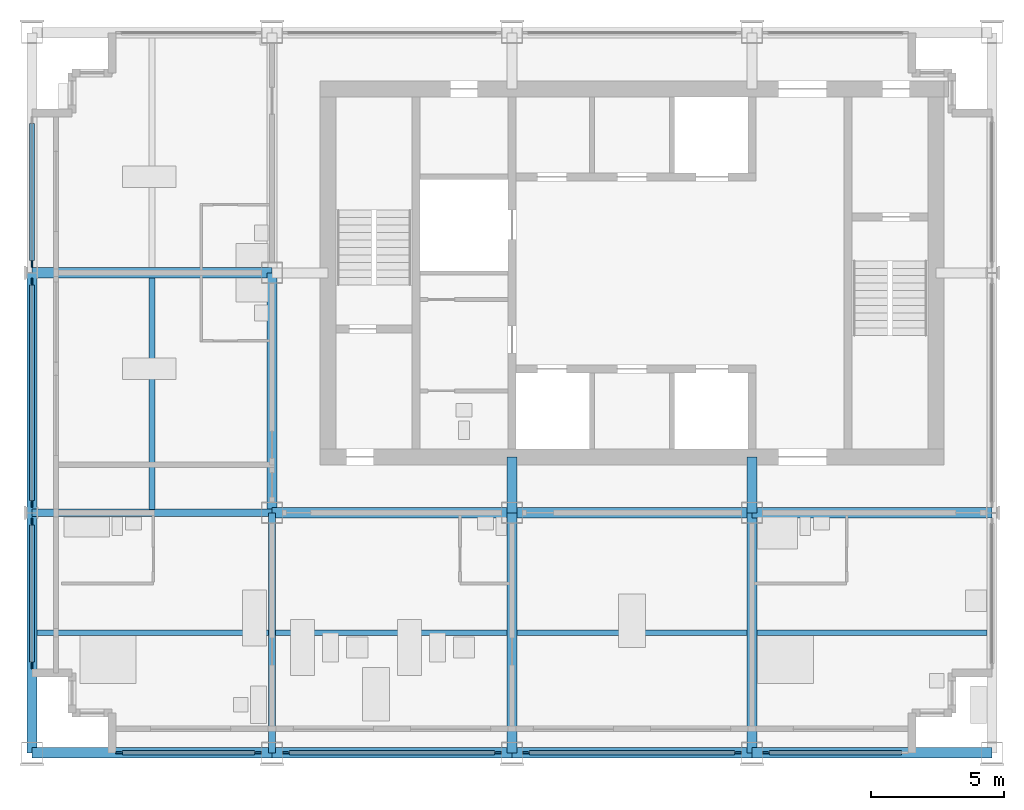
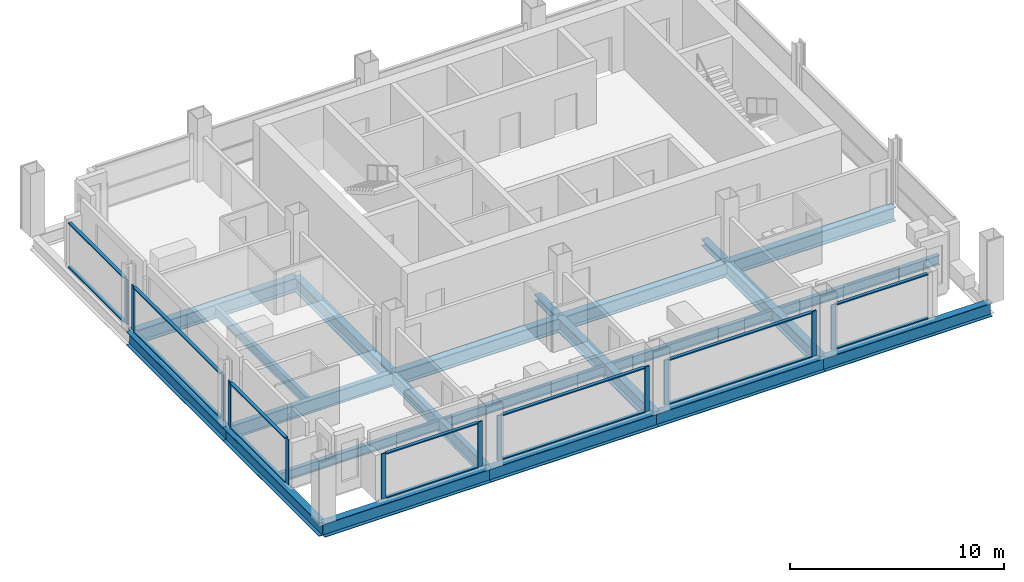
# One storey, part 2 of 11: 28 members, 20 beams, 7 elements without a shape of their own.
"""IFC4 building model written with IfcOpenShell, lengths in metres."""

from ifc_helpers import new_model, si_unit, direction, frame, origin, origin_2d, place, context, subcontext, project, spatial, rectangle, i_section, extrude, material, material_profile, profile_set, type_object, element, aggregate, save


model = new_model("IFC4")

# Units and contexts
model_context = context("Model", 3, precision=1e-05, world=origin(), true_north=direction((0.0, 1.0)))
body_context = subcontext(model_context, "Body", "Model", "MODEL_VIEW")
ifc_project = project(units=[si_unit("LENGTHUNIT", "METRE"), si_unit("AREAUNIT", "SQUARE_METRE"), si_unit("VOLUMEUNIT", "CUBIC_METRE"), si_unit("PLANEANGLEUNIT", "RADIAN"), si_unit("MASSUNIT", "GRAM", prefix="KILO")], contexts=[model_context])

# Site, building, storey
site_placement = place(None, origin())
site = spatial("IfcSite", under=ifc_project, at=site_placement, CompositionType="ELEMENT")
building_placement = place(site_placement, origin())
building = spatial("IfcBuilding", under=site, at=building_placement, Name="Loomwork Tower", CompositionType="ELEMENT")
storey_placement = place(building_placement, frame((0.0, 0.0, 266.199951171875)))
storey = spatial("IfcBuildingStorey", under=building, at=storey_placement, Name="L73", CompositionType="ELEMENT", Elevation=266.199951171875)

# Beams
ifc_material_1 = material(Name="Steel ASTM A992", Category="steel")
ifc_material_profile_1 = material_profile(ifc_material_1, i_section(OverallWidth=0.383544921875, OverallDepth=0.794921875, WebThickness=0.02099609375, FlangeThickness=0.0380859375, at=origin_2d()), Name="W30x235")
ifc_profile_set_1 = profile_set([ifc_material_profile_1], Name="Steel ASTM A992")
beam_type_1 = type_object("IfcBeamType", Name="CORE FLANK GIRDER W30x235", PredefinedType="BEAM", material=ifc_profile_set_1)
for number, where, z_axis, x_axis, name in (
    (1, (9.0, 9.0, -0.597412109375), (1.0, 0.0, 0.0), (0.0, 1.0, 0.0), "Core Flank Girder E/3-E/4 L73"),
    (2, (18.0, 9.0, -0.597412109375), (1.0, 0.0, 0.0), (0.0, 1.0, 0.0), "Core Flank Girder E/4-E/5 L73"),
    (3, (27.0, 9.0, -0.597412109375), (1.0, 0.0, 0.0), (0.0, 1.0, 0.0), "Core Flank Girder E/5-E/6 L73"),
    (4, (0.0, 18.0, -0.597412109375), (1.0, 0.0, 0.0), (0.0, 1.0, 0.0), "Core Flank Girder F/2-F/3 L73"),
    (5, (9.0, 9.0, -0.597412109375), (0.0, 1.0, 0.0), (-1.0, 0.0, 0.0), "Core Flank Girder E/3-F/3 L73"),
    (6, (18.0, 0.0, -0.597412109375), (0.0, 1.0, 0.0), (-1.0, 0.0, 0.0), "Core Flank Girder D/4-E/4 L73"),
    (7, (27.0, 0.0, -0.597412109375), (0.0, 1.0, 0.0), (-1.0, 0.0, 0.0), "Core Flank Girder D/5-E/5 L73"),
):
    element("IfcBeam", number, at=place(storey_placement, frame(where, z_axis=z_axis, x_axis=x_axis)), inside=storey, type_object=beam_type_1, Name=name, PredefinedType="BEAM", context=body_context, shape_type="SweptSolid", body=[
        extrude(i_section(OverallWidth=0.383544921875, OverallDepth=0.794921875, WebThickness=0.02099609375, FlangeThickness=0.0380859375, at=origin_2d()), origin(), (0.0, 0.0, 1.0), 9.0),
    ])

# Members
ifc_material_2 = material(Name="Steel ASTM A992", Category="steel")
ifc_material_profile_2 = material_profile(ifc_material_2, i_section(OverallWidth=0.373291015625, OverallDepth=0.373291015625, WebThickness=0.016357421875, FlangeThickness=0.026123046875, at=origin_2d()), Name="W14x132")
ifc_profile_set_2 = profile_set([ifc_material_profile_2], Name="Steel ASTM A992")
member_type_1 = type_object("IfcMemberType", Name="CORE LINK STRUT W14x132", PredefinedType="STRUT", material=ifc_profile_set_2)
for number, where, z_axis, x_axis, name in (
    (8, (18.0, 9.0, -0.38671875), (0.0, 1.0, 0.0), (-1.0, 0.0, 0.0), "Core link strut E/4-18.000,11.100 L73"),
    (9, (27.0, 9.0, -0.38671875), (0.0, 1.0, 0.0), (-1.0, 0.0, 0.0), "Core link strut E/5-27.000,11.100 L73"),
):
    element("IfcMember", number, at=place(storey_placement, frame(where, z_axis=z_axis, x_axis=x_axis)), inside=storey, type_object=member_type_1, Name=name, PredefinedType="STRUT", context=body_context, shape_type="SweptSolid", body=[
        extrude(i_section(OverallWidth=0.373291015625, OverallDepth=0.373291015625, WebThickness=0.016357421875, FlangeThickness=0.026123046875, at=origin_2d()), origin(), (0.0, 0.0, 1.0), 2.10009765625),
    ])

# Beams
ifc_material_3 = material(Name="Steel ASTM A992", Category="steel")
ifc_material_profile_3 = material_profile(ifc_material_3, i_section(OverallWidth=0.2666015625, OverallDepth=0.761962890625, WebThickness=0.014404296875, FlangeThickness=0.021484375, at=origin_2d()), Name="W30x116")
ifc_profile_set_3 = profile_set([ifc_material_profile_3], Name="Steel ASTM A992")
beam_type_2 = type_object("IfcBeamType", Name="FLOOR GIRDER W30x116", PredefinedType="BEAM", material=ifc_profile_set_3)
for number, where, z_axis, x_axis, name in (
    (10, (0.0, 9.0, -0.5810546875), (1.0, 0.0, 0.0), (0.0, 1.0, 0.0), "Floor Girder E/2-E/3 L73"),
    (11, (9.0, 0.0, -0.5810546875), (0.0, 1.0, 0.0), (-1.0, 0.0, 0.0), "Floor Girder D/3-E/3 L73"),
):
    element("IfcBeam", number, at=place(storey_placement, frame(where, z_axis=z_axis, x_axis=x_axis)), inside=storey, type_object=beam_type_2, Name=name, PredefinedType="BEAM", context=body_context, shape_type="SweptSolid", body=[
        extrude(i_section(OverallWidth=0.2666015625, OverallDepth=0.761962890625, WebThickness=0.014404296875, FlangeThickness=0.021484375, at=origin_2d()), origin(), (0.0, 0.0, 1.0), 9.0),
    ])
ifc_material_4 = material(Name="Steel ASTM A992", Category="steel")
ifc_material_profile_4 = material_profile(ifc_material_4, i_section(OverallWidth=0.2109375, OverallDepth=0.53857421875, WebThickness=0.011474609375, FlangeThickness=0.018798828125, at=origin_2d()), Name="W21x73")
ifc_profile_set_4 = profile_set([ifc_material_profile_4], Name="Steel ASTM A992")
beam_type_3 = type_object("IfcBeamType", Name="FLOOR JOIST W21x73", PredefinedType="JOIST", material=ifc_profile_set_4)
beam_1_placement = place(storey_placement, frame((0.18994140625, 4.5, -0.46923828125), z_axis=(1.0, 0.0, 0.0), x_axis=(0.0, 1.0, 0.0)))
element("IfcBeam", 12, at=beam_1_placement, inside=storey, type_object=beam_type_3, Name="Floor Joist 0.000,4.500-9.000,4.500 L73", PredefinedType="JOIST", context=body_context, shape_type="SweptSolid", body=[
    extrude(i_section(OverallWidth=0.2109375, OverallDepth=0.53857421875, WebThickness=0.011474609375, FlangeThickness=0.018798828125, at=origin_2d()), origin(), (0.0, 0.0, 1.0), 8.677001953125),
])
for number, where, z_axis, x_axis, name in (
    (13, (4.5, 9.133056640625, -0.46923828125), (0.0, 1.0, 0.0), (-1.0, 0.0, 0.0), "Floor Joist 4.500,9.000-4.500,18.000 L73"),
    (14, (9.133056640625, 4.5, -0.46923828125), (1.0, 0.0, 0.0), (0.0, 1.0, 0.0), "Floor Joist 9.000,4.500-18.000,4.500 L73"),
):
    element("IfcBeam", number, at=place(storey_placement, frame(where, z_axis=z_axis, x_axis=x_axis)), inside=storey, type_object=beam_type_3, Name=name, PredefinedType="JOIST", context=body_context, shape_type="SweptSolid", body=[
        extrude(i_section(OverallWidth=0.2109375, OverallDepth=0.53857421875, WebThickness=0.011474609375, FlangeThickness=0.018798828125, at=origin_2d()), origin(), (0.0, 0.0, 1.0), 8.676025390625),
    ])
beam_2_placement = place(storey_placement, frame((18.19091796875, 4.5, -0.46923828125), z_axis=(1.0, 0.0, 0.0), x_axis=(0.0, 1.0, 0.0)))
element("IfcBeam", 15, at=beam_2_placement, inside=storey, type_object=beam_type_3, Name="Floor Joist 18.000,4.500-27.000,4.500 L73", PredefinedType="JOIST", context=body_context, shape_type="SweptSolid", body=[
    extrude(i_section(OverallWidth=0.2109375, OverallDepth=0.53857421875, WebThickness=0.011474609375, FlangeThickness=0.018798828125, at=origin_2d()), origin(), (0.0, 0.0, 1.0), 8.6181640625),
])
beam_3_placement = place(storey_placement, frame((27.19091796875, 4.5, -0.46923828125), z_axis=(1.0, 0.0, 0.0), x_axis=(0.0, 1.0, 0.0)))
element("IfcBeam", 16, at=beam_3_placement, inside=storey, type_object=beam_type_3, Name="Floor Joist 27.000,4.500-36.000,4.500 L73", PredefinedType="JOIST", context=body_context, shape_type="SweptSolid", body=[
    extrude(i_section(OverallWidth=0.2109375, OverallDepth=0.53857421875, WebThickness=0.011474609375, FlangeThickness=0.018798828125, at=origin_2d()), origin(), (0.0, 0.0, 1.0), 8.619140625),
])

# Curtain wall, members
ifc_material_5 = material(Name="Aluminium curtain wall frame", Category="aluminium")
curtain_wall_type = type_object("IfcCurtainWallType", Name="Outer skin glazing suites", PredefinedType="NOTDEFINED", material=ifc_material_5)
curtain_wall_1_placement = place(storey_placement, origin())
curtain_wall_1 = element("IfcCurtainWall", 17, at=curtain_wall_1_placement, inside=storey, type_object=curtain_wall_type, Name="Outer skin glazing suites cw/S-0", PredefinedType="NOTDEFINED")
ifc_material_6 = material(Name="Aluminium curtain wall frame", Category="aluminium")
ifc_material_profile_5 = material_profile(ifc_material_6, rectangle(XDim=0.06494140625, YDim=0.25, at=origin_2d()), Name="AL 65x250")
ifc_profile_set_5 = profile_set([ifc_material_profile_5], Name="Aluminium curtain wall frame")
member_type_2 = type_object("IfcMemberType", Name="Outer skin glazing suites mullion", PredefinedType="MULLION", material=ifc_profile_set_5)
member_1_placement = place(storey_placement, frame((3.27490234375, 0.0, 0.0), z_axis=(0.0, 0.0, 1.0), x_axis=(0.0, 1.0, 0.0)))
member_1 = element("IfcMember", 18, at=member_1_placement, type_object=member_type_2, Name="CW2 mullion 1", PredefinedType="MULLION", context=body_context, shape_type="SweptSolid", body=[
    extrude(rectangle(XDim=0.06494140625, YDim=0.25, at=origin_2d()), origin(), (0.0, 0.0, 1.0), 2.5703125),
])
member_2_placement = place(storey_placement, frame((8.47509765625, 0.0, 0.0), z_axis=(0.0, 0.0, 1.0), x_axis=(0.0, 1.0, 0.0)))
member_2 = element("IfcMember", 19, at=member_2_placement, type_object=member_type_2, Name="CW2 mullion 2", PredefinedType="MULLION", context=body_context, shape_type="SweptSolid", body=[
    extrude(rectangle(XDim=0.06494140625, YDim=0.25, at=origin_2d()), origin(), (0.0, 0.0, 1.0), 2.5703125),
])

curtain_wall_2_placement = place(storey_placement, origin())
curtain_wall_2 = element("IfcCurtainWall", 20, at=curtain_wall_2_placement, inside=storey, type_object=curtain_wall_type, Name="Outer skin glazing suites cw/S-9", PredefinedType="NOTDEFINED")
member_3_placement = place(storey_placement, frame((9.52490234375, 0.0, 0.0), z_axis=(0.0, 0.0, 1.0), x_axis=(0.0, 1.0, 0.0)))
member_3 = element("IfcMember", 21, at=member_3_placement, type_object=member_type_2, Name="CW2 mullion 1", PredefinedType="MULLION", context=body_context, shape_type="SweptSolid", body=[
    extrude(rectangle(XDim=0.06494140625, YDim=0.25, at=origin_2d()), origin(), (0.0, 0.0, 1.0), 2.5703125),
])
member_4_placement = place(storey_placement, frame((17.47509765625, 0.0, 0.0), z_axis=(0.0, 0.0, 1.0), x_axis=(0.0, 1.0, 0.0)))
member_4 = element("IfcMember", 22, at=member_4_placement, type_object=member_type_2, Name="CW2 mullion 2", PredefinedType="MULLION", context=body_context, shape_type="SweptSolid", body=[
    extrude(rectangle(XDim=0.06494140625, YDim=0.25, at=origin_2d()), origin(), (0.0, 0.0, 1.0), 2.5703125),
])

curtain_wall_3_placement = place(storey_placement, origin())
curtain_wall_3 = element("IfcCurtainWall", 23, at=curtain_wall_3_placement, inside=storey, type_object=curtain_wall_type, Name="Outer skin glazing suites cw/S-18", PredefinedType="NOTDEFINED")
member_5_placement = place(storey_placement, frame((18.52490234375, 0.0, 0.0), z_axis=(0.0, 0.0, 1.0), x_axis=(0.0, 1.0, 0.0)))
member_5 = element("IfcMember", 24, at=member_5_placement, type_object=member_type_2, Name="CW2 mullion 1", PredefinedType="MULLION", context=body_context, shape_type="SweptSolid", body=[
    extrude(rectangle(XDim=0.06494140625, YDim=0.25, at=origin_2d()), origin(), (0.0, 0.0, 1.0), 2.5703125),
])
member_6_placement = place(storey_placement, frame((26.47509765625, 0.0, 0.0), z_axis=(0.0, 0.0, 1.0), x_axis=(0.0, 1.0, 0.0)))
member_6 = element("IfcMember", 25, at=member_6_placement, type_object=member_type_2, Name="CW2 mullion 2", PredefinedType="MULLION", context=body_context, shape_type="SweptSolid", body=[
    extrude(rectangle(XDim=0.06494140625, YDim=0.25, at=origin_2d()), origin(), (0.0, 0.0, 1.0), 2.5703125),
])

# Curtain wall, member
curtain_wall_4_placement = place(storey_placement, origin())
curtain_wall_4 = element("IfcCurtainWall", 26, at=curtain_wall_4_placement, inside=storey, type_object=curtain_wall_type, Name="Outer skin glazing suites cw/S-27", PredefinedType="NOTDEFINED")
member_7_placement = place(storey_placement, frame((27.52490234375, 0.0, 0.0), z_axis=(0.0, 0.0, 1.0), x_axis=(0.0, 1.0, 0.0)))
member_7 = element("IfcMember", 27, at=member_7_placement, type_object=member_type_2, Name="CW2 mullion 1", PredefinedType="MULLION", context=body_context, shape_type="SweptSolid", body=[
    extrude(rectangle(XDim=0.06494140625, YDim=0.25, at=origin_2d()), origin(), (0.0, 0.0, 1.0), 2.5703125),
])

# Curtain wall, members
curtain_wall_5_placement = place(storey_placement, origin())
curtain_wall_5 = element("IfcCurtainWall", 28, at=curtain_wall_5_placement, inside=storey, type_object=curtain_wall_type, Name="Outer skin glazing suites cw/W-0", PredefinedType="NOTDEFINED")
member_8_placement = place(storey_placement, frame((0.0, 8.666748046875, 0.0), z_axis=(0.0, 0.0, 1.0), x_axis=(1.0, 0.0, 0.0)))
member_8 = element("IfcMember", 29, at=member_8_placement, type_object=member_type_2, Name="CW2 mullion 1", PredefinedType="MULLION", context=body_context, shape_type="SweptSolid", body=[
    extrude(rectangle(XDim=0.06494140625, YDim=0.25, at=origin_2d()), origin(), (0.0, 0.0, 1.0), 2.5703125),
])
member_9_placement = place(storey_placement, frame((0.0, 3.27490234375, 0.0), z_axis=(0.0, 0.0, 1.0), x_axis=(1.0, 0.0, 0.0)))
member_9 = element("IfcMember", 30, at=member_9_placement, type_object=member_type_2, Name="CW2 mullion 2", PredefinedType="MULLION", context=body_context, shape_type="SweptSolid", body=[
    extrude(rectangle(XDim=0.06494140625, YDim=0.25, at=origin_2d()), origin(), (0.0, 0.0, 1.0), 2.5703125),
])

curtain_wall_6_placement = place(storey_placement, origin())
curtain_wall_6 = element("IfcCurtainWall", 31, at=curtain_wall_6_placement, inside=storey, type_object=curtain_wall_type, Name="Outer skin glazing suites cw/W-9", PredefinedType="NOTDEFINED")
member_10_placement = place(storey_placement, frame((0.0, 17.666748046875, 0.0), z_axis=(0.0, 0.0, 1.0), x_axis=(1.0, 0.0, 0.0)))
member_10 = element("IfcMember", 32, at=member_10_placement, type_object=member_type_2, Name="CW2 mullion 1", PredefinedType="MULLION", context=body_context, shape_type="SweptSolid", body=[
    extrude(rectangle(XDim=0.06494140625, YDim=0.25, at=origin_2d()), origin(), (0.0, 0.0, 1.0), 2.5703125),
])
member_11_placement = place(storey_placement, frame((0.0, 9.333251953125, 0.0), z_axis=(0.0, 0.0, 1.0), x_axis=(1.0, 0.0, 0.0)))
member_11 = element("IfcMember", 33, at=member_11_placement, type_object=member_type_2, Name="CW2 mullion 2", PredefinedType="MULLION", context=body_context, shape_type="SweptSolid", body=[
    extrude(rectangle(XDim=0.06494140625, YDim=0.25, at=origin_2d()), origin(), (0.0, 0.0, 1.0), 2.5703125),
])

# Curtain wall, member
curtain_wall_7_placement = place(storey_placement, origin())
curtain_wall_7 = element("IfcCurtainWall", 34, at=curtain_wall_7_placement, inside=storey, type_object=curtain_wall_type, Name="Outer skin glazing suites cw/W-18", PredefinedType="NOTDEFINED")
member_12_placement = place(storey_placement, frame((0.0, 18.333251953125, 0.0), z_axis=(0.0, 0.0, 1.0), x_axis=(1.0, 0.0, 0.0)))
member_12 = element("IfcMember", 35, at=member_12_placement, type_object=member_type_2, Name="CW2 mullion 2", PredefinedType="MULLION", context=body_context, shape_type="SweptSolid", body=[
    extrude(rectangle(XDim=0.06494140625, YDim=0.25, at=origin_2d()), origin(), (0.0, 0.0, 1.0), 2.5703125),
])

# Member
ifc_material_7 = material(Name="Aluminium curtain wall frame", Category="aluminium")
ifc_material_profile_6 = material_profile(ifc_material_7, rectangle(XDim=0.179931640625, YDim=0.06494140625, at=origin_2d()), Name="AL 65x180")
ifc_profile_set_6 = profile_set([ifc_material_profile_6], Name="Aluminium curtain wall frame")
member_type_3 = type_object("IfcMemberType", Name="Outer skin glazing suites transom", PredefinedType="USERDEFINED", material=ifc_profile_set_6)
member_13_placement = place(storey_placement, frame((3.39990234375, 0.0, 0.032470703125), z_axis=(1.0, 0.0, 0.0), x_axis=(0.0, 1.0, 0.0)))
member_13 = element("IfcMember", 36, at=member_13_placement, type_object=member_type_3, Name="CW2 transom 1.1", ObjectType="TRANSOM", PredefinedType="USERDEFINED", context=body_context, shape_type="SweptSolid", body=[
    extrude(rectangle(XDim=0.179931640625, YDim=0.06494140625, at=origin_2d()), origin(), (0.0, 0.0, 1.0), 4.9501953125),
])

member_14_placement = place(storey_placement, frame((3.39990234375, 0.0, 2.537841796875), z_axis=(1.0, 0.0, 0.0), x_axis=(0.0, 1.0, 0.0)))
member_14 = element("IfcMember", 37, at=member_14_placement, type_object=member_type_3, Name="CW2 transom 1.2", ObjectType="TRANSOM", PredefinedType="USERDEFINED", context=body_context, shape_type="SweptSolid", body=[
    extrude(rectangle(XDim=0.179931640625, YDim=0.06494140625, at=origin_2d()), origin(), (0.0, 0.0, 1.0), 4.9501953125),
])

aggregate(curtain_wall_1, [member_1, member_2, member_13, member_14])

member_15_placement = place(storey_placement, frame((9.64990234375, 0.0, 0.032470703125), z_axis=(1.0, 0.0, 0.0), x_axis=(0.0, 1.0, 0.0)))
member_15 = element("IfcMember", 38, at=member_15_placement, type_object=member_type_3, Name="CW2 transom 1.1", ObjectType="TRANSOM", PredefinedType="USERDEFINED", context=body_context, shape_type="SweptSolid", body=[
    extrude(rectangle(XDim=0.179931640625, YDim=0.06494140625, at=origin_2d()), origin(), (0.0, 0.0, 1.0), 7.7001953125),
])

member_16_placement = place(storey_placement, frame((9.64990234375, 0.0, 2.537841796875), z_axis=(1.0, 0.0, 0.0), x_axis=(0.0, 1.0, 0.0)))
member_16 = element("IfcMember", 39, at=member_16_placement, type_object=member_type_3, Name="CW2 transom 1.2", ObjectType="TRANSOM", PredefinedType="USERDEFINED", context=body_context, shape_type="SweptSolid", body=[
    extrude(rectangle(XDim=0.179931640625, YDim=0.06494140625, at=origin_2d()), origin(), (0.0, 0.0, 1.0), 7.7001953125),
])

aggregate(curtain_wall_2, [member_3, member_4, member_15, member_16])

member_17_placement = place(storey_placement, frame((18.64990234375, 0.0, 0.032470703125), z_axis=(1.0, 0.0, 0.0), x_axis=(0.0, 1.0, 0.0)))
member_17 = element("IfcMember", 40, at=member_17_placement, type_object=member_type_3, Name="CW2 transom 1.1", ObjectType="TRANSOM", PredefinedType="USERDEFINED", context=body_context, shape_type="SweptSolid", body=[
    extrude(rectangle(XDim=0.179931640625, YDim=0.06494140625, at=origin_2d()), origin(), (0.0, 0.0, 1.0), 7.7001953125),
])

member_18_placement = place(storey_placement, frame((18.64990234375, 0.0, 2.537841796875), z_axis=(1.0, 0.0, 0.0), x_axis=(0.0, 1.0, 0.0)))
member_18 = element("IfcMember", 41, at=member_18_placement, type_object=member_type_3, Name="CW2 transom 1.2", ObjectType="TRANSOM", PredefinedType="USERDEFINED", context=body_context, shape_type="SweptSolid", body=[
    extrude(rectangle(XDim=0.179931640625, YDim=0.06494140625, at=origin_2d()), origin(), (0.0, 0.0, 1.0), 7.7001953125),
])

aggregate(curtain_wall_3, [member_5, member_6, member_17, member_18])

member_19_placement = place(storey_placement, frame((27.64990234375, 0.0, 0.032470703125), z_axis=(1.0, 0.0, 0.0), x_axis=(0.0, 1.0, 0.0)))
member_19 = element("IfcMember", 42, at=member_19_placement, type_object=member_type_3, Name="CW2 transom 1.1", ObjectType="TRANSOM", PredefinedType="USERDEFINED", context=body_context, shape_type="SweptSolid", body=[
    extrude(rectangle(XDim=0.179931640625, YDim=0.06494140625, at=origin_2d()), origin(), (0.0, 0.0, 1.0), 4.9501953125),
])

member_20_placement = place(storey_placement, frame((27.64990234375, 0.0, 2.537841796875), z_axis=(1.0, 0.0, 0.0), x_axis=(0.0, 1.0, 0.0)))
member_20 = element("IfcMember", 43, at=member_20_placement, type_object=member_type_3, Name="CW2 transom 1.2", ObjectType="TRANSOM", PredefinedType="USERDEFINED", context=body_context, shape_type="SweptSolid", body=[
    extrude(rectangle(XDim=0.179931640625, YDim=0.06494140625, at=origin_2d()), origin(), (0.0, 0.0, 1.0), 4.9501953125),
])

aggregate(curtain_wall_4, [member_7, member_19, member_20])

member_21_placement = place(storey_placement, frame((0.0, 8.541748046875, 0.032470703125), z_axis=(0.0, -1.0, 0.0), x_axis=(1.0, 0.0, 0.0)))
member_21 = element("IfcMember", 44, at=member_21_placement, type_object=member_type_3, Name="CW2 transom 1.1", ObjectType="TRANSOM", PredefinedType="USERDEFINED", context=body_context, shape_type="SweptSolid", body=[
    extrude(rectangle(XDim=0.179931640625, YDim=0.06494140625, at=origin_2d()), origin(), (0.0, 0.0, 1.0), 5.141845703125),
])

member_22_placement = place(storey_placement, frame((0.0, 8.541748046875, 2.537841796875), z_axis=(0.0, -1.0, 0.0), x_axis=(1.0, 0.0, 0.0)))
member_22 = element("IfcMember", 45, at=member_22_placement, type_object=member_type_3, Name="CW2 transom 1.2", ObjectType="TRANSOM", PredefinedType="USERDEFINED", context=body_context, shape_type="SweptSolid", body=[
    extrude(rectangle(XDim=0.179931640625, YDim=0.06494140625, at=origin_2d()), origin(), (0.0, 0.0, 1.0), 5.141845703125),
])

aggregate(curtain_wall_5, [member_8, member_9, member_21, member_22])

member_23_placement = place(storey_placement, frame((0.0, 17.541748046875, 0.032470703125), z_axis=(0.0, -1.0, 0.0), x_axis=(1.0, 0.0, 0.0)))
member_23 = element("IfcMember", 46, at=member_23_placement, type_object=member_type_3, Name="CW2 transom 1.1", ObjectType="TRANSOM", PredefinedType="USERDEFINED", context=body_context, shape_type="SweptSolid", body=[
    extrude(rectangle(XDim=0.179931640625, YDim=0.06494140625, at=origin_2d()), origin(), (0.0, 0.0, 1.0), 8.08349609375),
])

member_24_placement = place(storey_placement, frame((0.0, 17.541748046875, 2.537841796875), z_axis=(0.0, -1.0, 0.0), x_axis=(1.0, 0.0, 0.0)))
member_24 = element("IfcMember", 47, at=member_24_placement, type_object=member_type_3, Name="CW2 transom 1.2", ObjectType="TRANSOM", PredefinedType="USERDEFINED", context=body_context, shape_type="SweptSolid", body=[
    extrude(rectangle(XDim=0.179931640625, YDim=0.06494140625, at=origin_2d()), origin(), (0.0, 0.0, 1.0), 8.08349609375),
])

aggregate(curtain_wall_6, [member_10, member_11, member_23, member_24])

member_25_placement = place(storey_placement, frame((0.0, 23.60009765625, 0.032470703125), z_axis=(0.0, -1.0, 0.0), x_axis=(1.0, 0.0, 0.0)))
member_25 = element("IfcMember", 48, at=member_25_placement, type_object=member_type_3, Name="CW2 transom 1.1", ObjectType="TRANSOM", PredefinedType="USERDEFINED", context=body_context, shape_type="SweptSolid", body=[
    extrude(rectangle(XDim=0.179931640625, YDim=0.06494140625, at=origin_2d()), origin(), (0.0, 0.0, 1.0), 5.141845703125),
])

member_26_placement = place(storey_placement, frame((0.0, 23.60009765625, 2.537841796875), z_axis=(0.0, -1.0, 0.0), x_axis=(1.0, 0.0, 0.0)))
member_26 = element("IfcMember", 49, at=member_26_placement, type_object=member_type_3, Name="CW2 transom 1.2", ObjectType="TRANSOM", PredefinedType="USERDEFINED", context=body_context, shape_type="SweptSolid", body=[
    extrude(rectangle(XDim=0.179931640625, YDim=0.06494140625, at=origin_2d()), origin(), (0.0, 0.0, 1.0), 5.141845703125),
])

aggregate(curtain_wall_7, [member_12, member_25, member_26])

# Beams
ifc_material_8 = material(Name="Steel ASTM A992", Category="steel")
ifc_material_profile_7 = material_profile(ifc_material_8, i_section(OverallWidth=0.381103515625, OverallDepth=0.77978515625, WebThickness=0.01806640625, FlangeThickness=0.0302734375, at=origin_2d()), Name="W30x191")
ifc_profile_set_7 = profile_set([ifc_material_profile_7], Name="Steel ASTM A992")
beam_type_4 = type_object("IfcBeamType", Name="SPANDREL GIRDER W30x191", PredefinedType="SPANDREL", material=ifc_profile_set_7)
for number, where, z_axis, x_axis, name in (
    (50, (0.0, 0.0, -0.58984375), (1.0, 0.0, 0.0), (0.0, 1.0, 0.0), "Spandrel Girder D/2-D/3 L73"),
    (51, (9.0, 0.0, -0.58984375), (1.0, 0.0, 0.0), (0.0, 1.0, 0.0), "Spandrel Girder D/3-D/4 L73"),
    (52, (18.0, 0.0, -0.58984375), (1.0, 0.0, 0.0), (0.0, 1.0, 0.0), "Spandrel Girder D/4-D/5 L73"),
    (53, (27.0, 0.0, -0.58984375), (1.0, 0.0, 0.0), (0.0, 1.0, 0.0), "Spandrel Girder D/5-D/6 L73"),
    (54, (0.0, 0.0, -0.58984375), (0.0, 1.0, 0.0), (-1.0, 0.0, 0.0), "Spandrel Girder D/2-E/2 L73"),
    (55, (0.0, 9.0, -0.58984375), (0.0, 1.0, 0.0), (-1.0, 0.0, 0.0), "Spandrel Girder E/2-F/2 L73"),
):
    element("IfcBeam", number, at=place(storey_placement, frame(where, z_axis=z_axis, x_axis=x_axis)), inside=storey, type_object=beam_type_4, Name=name, PredefinedType="SPANDREL", context=body_context, shape_type="SweptSolid", body=[
        extrude(i_section(OverallWidth=0.381103515625, OverallDepth=0.77978515625, WebThickness=0.01806640625, FlangeThickness=0.0302734375, at=origin_2d()), origin(), (0.0, 0.0, 1.0), 9.0),
    ])

save(model, "model.ifc")
